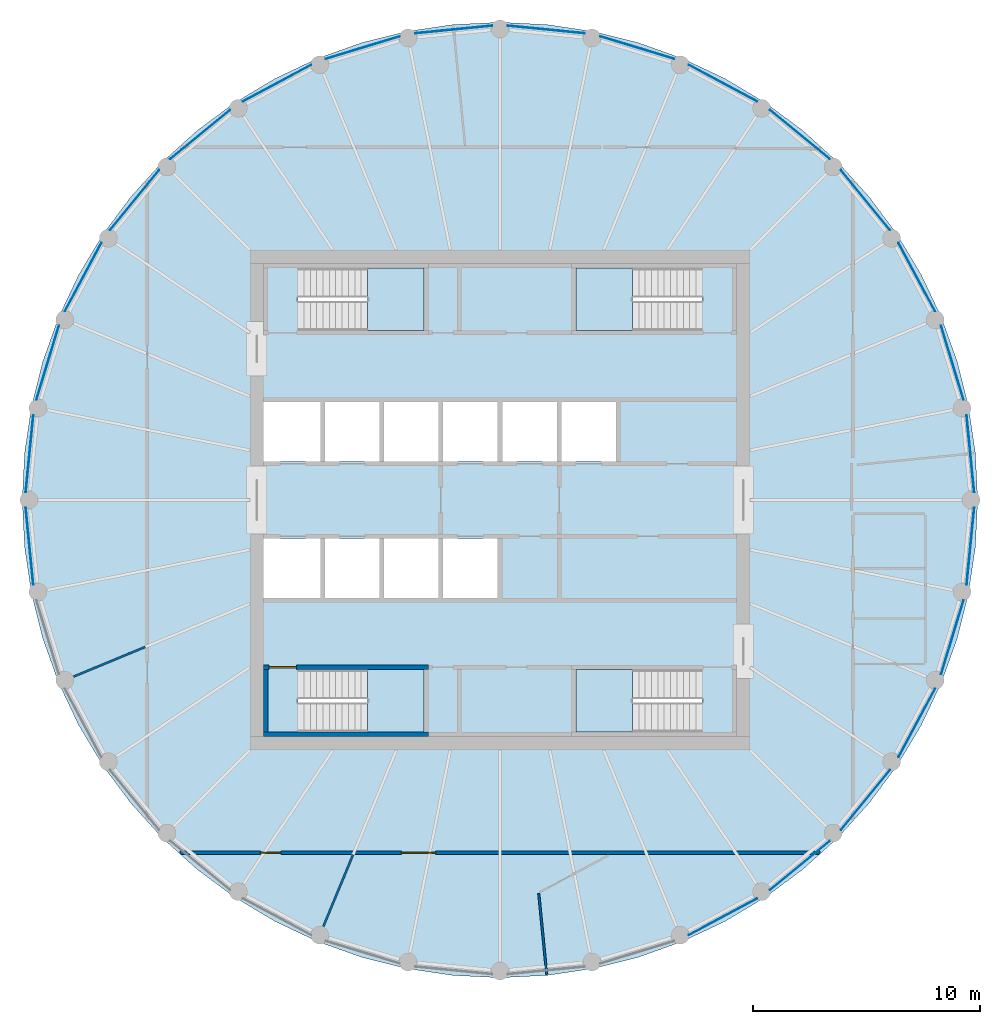
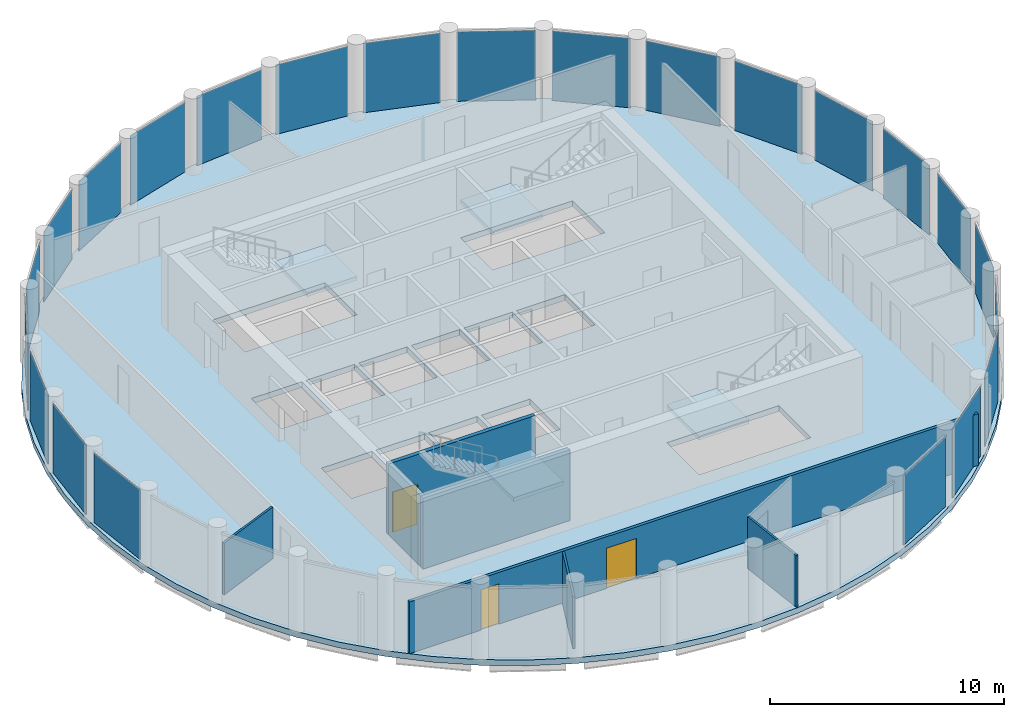
# One storey, part 3 of 7: 23 plates, 7 walls, 5 slabs, 3 doors, 3 openings, 27 elements without a shape of their own.
"""IFC4 building model written with IfcOpenShell, lengths in metres."""

from ifc_helpers import new_model, si_unit, direction, frame, frame_2d, origin, origin_2d, place, context, subcontext, project, spatial, polyline, rectangle, outline, extrude, material, layer, layer_set, type_object, element, fill, aggregate, save


model = new_model("IFC4")

# Units and contexts
model_context = context("Model", 3, precision=1e-05, world=origin(), true_north=direction((0.0, 1.0)))
body_context = subcontext(model_context, "Body", "Model", "MODEL_VIEW")
ifc_project = project(units=[si_unit("LENGTHUNIT", "METRE"), si_unit("AREAUNIT", "SQUARE_METRE"), si_unit("VOLUMEUNIT", "CUBIC_METRE"), si_unit("PLANEANGLEUNIT", "RADIAN"), si_unit("MASSUNIT", "GRAM", prefix="KILO")], contexts=[model_context])

# Site, building, storey
site_placement = place(None, origin())
site = spatial("IfcSite", under=ifc_project, at=site_placement, CompositionType="ELEMENT")
building_placement = place(site_placement, origin())
building = spatial("IfcBuilding", under=site, at=building_placement, Name="Corvane Civic Tower", CompositionType="ELEMENT")
storey_placement = place(building_placement, frame((0.0, 0.0, 352.5)))
storey = spatial("IfcBuildingStorey", under=building, at=storey_placement, Name="L84", CompositionType="ELEMENT", Elevation=352.5)

# Slab
ifc_material_1 = material(Name="Concrete C40/50", Category="concrete")
ifc_layer_1 = layer(ifc_material_1, 0.300048828125)
ifc_layer_set_1 = layer_set([ifc_layer_1], Name="Concrete C40/50")
slab_type_1 = type_object("IfcSlabType", Name="FLOOR SLAB 300", PredefinedType="FLOOR", material=ifc_layer_set_1)
slab_1_placement = place(storey_placement, frame((0.0, 0.0, -0.300048828125)))
element("IfcSlab", 1, at=slab_1_placement, inside=storey, type_object=slab_type_1, Name="SLB-L84", PredefinedType="FLOOR", context=body_context, shape_type="SweptSolid", body=[
    extrude(outline(polyline([(0.0, 21.0), (-2.058349609375, 20.89892578125), (-4.096923828125, 20.596435546875), (-6.095947265625, 20.095703125), (-8.036376953125, 19.4013671875), (-9.8994140625, 18.520263671875), (-11.6669921875, 17.4609375), (-13.322265625, 16.233154296875), (-14.84912109375, 14.84912109375), (-16.233154296875, 13.322265625), (-17.4609375, 11.6669921875), (-18.520263671875, 9.8994140625), (-19.4013671875, 8.036376953125), (-20.095703125, 6.095947265625), (-20.596435546875, 4.096923828125), (-20.89892578125, 2.058349609375), (-21.0, 0.0), (-20.89892578125, -2.058349609375), (-20.596435546875, -4.096923828125), (-20.095703125, -6.095947265625), (-19.4013671875, -8.036376953125), (-18.520263671875, -9.8994140625), (-17.4609375, -11.6669921875), (-16.233154296875, -13.322265625), (-14.84912109375, -14.84912109375), (-13.322265625, -16.233154296875), (-11.6669921875, -17.4609375), (-9.8994140625, -18.520263671875), (-8.036376953125, -19.4013671875), (-6.095947265625, -20.095703125), (-4.096923828125, -20.596435546875), (-2.058349609375, -20.89892578125), (0.0, -21.0), (2.058349609375, -20.89892578125), (4.096923828125, -20.596435546875), (6.095947265625, -20.095703125), (8.036376953125, -19.4013671875), (9.8994140625, -18.520263671875), (11.6669921875, -17.4609375), (13.322265625, -16.233154296875), (14.84912109375, -14.84912109375), (16.233154296875, -13.322265625), (17.4609375, -11.6669921875), (18.520263671875, -9.8994140625), (19.4013671875, -8.036376953125), (20.095703125, -6.095947265625), (20.596435546875, -4.096923828125), (20.89892578125, -2.058349609375), (21.0, 0.0), (20.89892578125, 2.058349609375), (20.596435546875, 4.096923828125), (20.095703125, 6.095947265625), (19.4013671875, 8.036376953125), (18.520263671875, 9.8994140625), (17.4609375, 11.6669921875), (16.233154296875, 13.322265625), (14.84912109375, 14.84912109375), (13.322265625, 16.233154296875), (11.6669921875, 17.4609375), (9.8994140625, 18.520263671875), (8.036376953125, 19.4013671875), (6.095947265625, 20.095703125), (4.096923828125, 20.596435546875), (2.058349609375, 20.89892578125), (0.0, 21.0)]), holes=[polyline([(-10.39990234375, 4.300048828125), (-7.89990234375, 4.300048828125), (-7.89990234375, 1.699951171875), (-10.39990234375, 1.699951171875), (-10.39990234375, 4.300048828125)]), polyline([(-7.699951171875, 4.300048828125), (-5.300048828125, 4.300048828125), (-5.300048828125, 1.699951171875), (-7.699951171875, 1.699951171875), (-7.699951171875, 4.300048828125)]), polyline([(-5.10009765625, 4.300048828125), (-2.699951171875, 4.300048828125), (-2.699951171875, 1.699951171875), (-5.10009765625, 1.699951171875), (-5.10009765625, 4.300048828125)]), polyline([(-2.5, 4.300048828125), (-0.10009765625, 4.300048828125), (-0.10009765625, 1.699951171875), (-2.5, 1.699951171875), (-2.5, 4.300048828125)]), polyline([(0.10009765625, 4.300048828125), (2.5, 4.300048828125), (2.5, 1.699951171875), (0.10009765625, 1.699951171875), (0.10009765625, 4.300048828125)]), polyline([(2.699951171875, 4.300048828125), (5.10009765625, 4.300048828125), (5.10009765625, 1.699951171875), (2.699951171875, 1.699951171875), (2.699951171875, 4.300048828125)]), polyline([(-10.39990234375, -1.699951171875), (-7.89990234375, -1.699951171875), (-7.89990234375, -4.300048828125), (-10.39990234375, -4.300048828125), (-10.39990234375, -1.699951171875)]), polyline([(-7.699951171875, -4.300048828125), (-7.699951171875, -1.699951171875), (-5.300048828125, -1.699951171875), (-5.300048828125, -4.300048828125), (-7.699951171875, -4.300048828125)]), polyline([(-5.10009765625, -4.300048828125), (-5.10009765625, -1.699951171875), (-2.699951171875, -1.699951171875), (-2.699951171875, -4.300048828125), (-5.10009765625, -4.300048828125)]), polyline([(-0.10009765625, -1.699951171875), (-0.10009765625, -4.300048828125), (-2.5, -4.300048828125), (-2.5, -1.699951171875), (-0.10009765625, -1.699951171875)]), polyline([(8.889892578125, 10.199951171875), (8.889892578125, 7.449951171875), (3.35009765625, 7.449951171875), (3.35009765625, 10.199951171875), (8.889892578125, 10.199951171875)]), polyline([(-8.889892578125, 7.449951171875), (-8.889892578125, 10.199951171875), (-3.35009765625, 10.199951171875), (-3.35009765625, 7.449951171875), (-8.889892578125, 7.449951171875)]), polyline([(8.889892578125, -7.449951171875), (8.889892578125, -10.199951171875), (3.35009765625, -10.199951171875), (3.35009765625, -7.449951171875), (8.889892578125, -7.449951171875)]), polyline([(-8.889892578125, -10.199951171875), (-8.889892578125, -7.449951171875), (-3.35009765625, -7.449951171875), (-3.35009765625, -10.199951171875), (-8.889892578125, -10.199951171875)])]), origin(), (0.0, 0.0, 1.0), 0.300048828125),
])

# Stair, slab
ifc_material_2 = material(Name="Concrete C40/50", Category="concrete")
stair_type = type_object("IfcStairType", Name="ST-STAIR-HALFTURN", PredefinedType="HALF_TURN_STAIR", material=ifc_material_2)
stair_1_placement = place(storey_placement, origin())
stair_1 = element("IfcStair", 2, at=stair_1_placement, inside=storey, type_object=stair_type, Name="L84 Exit stair ST1", PredefinedType="HALF_TURN_STAIR")
ifc_material_3 = material(Name="Concrete C40/50", Category="concrete")
ifc_layer_2 = layer(ifc_material_3, 0.199951171875)
ifc_layer_set_2 = layer_set([ifc_layer_2], Name="Concrete C40/50")
slab_type_2 = type_object("IfcSlabType", Name="ST-LANDING-RC", PredefinedType="LANDING", material=ifc_layer_set_2)
slab_2_placement = place(storey_placement, frame((0.0, 0.0, 1.800048828125)))
slab_2 = element("IfcSlab", 3, at=slab_2_placement, type_object=slab_type_2, Name="ST1 landing 1", PredefinedType="LANDING", context=body_context, shape_type="SweptSolid", body=[
    extrude(outline(polyline([(5.820068359375, 10.199951171875), (3.35009765625, 10.199951171875), (3.35009765625, 7.449951171875), (5.820068359375, 7.449951171875), (5.820068359375, 10.199951171875)])), origin(), (0.0, 0.0, 1.0), 0.199951171875),
])
aggregate(stair_1, [slab_2])

stair_2_placement = place(storey_placement, origin())
stair_2 = element("IfcStair", 4, at=stair_2_placement, inside=storey, type_object=stair_type, Name="L84 Exit stair ST2", PredefinedType="HALF_TURN_STAIR")
slab_3_placement = place(storey_placement, frame((0.0, 0.0, 1.800048828125)))
slab_3 = element("IfcSlab", 5, at=slab_3_placement, type_object=slab_type_2, Name="ST2 landing 1", PredefinedType="LANDING", context=body_context, shape_type="SweptSolid", body=[
    extrude(outline(polyline([(5.820068359375, -7.449951171875), (3.35009765625, -7.449951171875), (3.35009765625, -10.199951171875), (5.820068359375, -10.199951171875), (5.820068359375, -7.449951171875)])), origin(), (0.0, 0.0, 1.0), 0.199951171875),
])
aggregate(stair_2, [slab_3])

stair_3_placement = place(storey_placement, origin())
stair_3 = element("IfcStair", 6, at=stair_3_placement, inside=storey, type_object=stair_type, Name="L84 Exit stair ST3", PredefinedType="HALF_TURN_STAIR")
slab_4_placement = place(storey_placement, frame((0.0, 0.0, 1.800048828125)))
slab_4 = element("IfcSlab", 7, at=slab_4_placement, type_object=slab_type_2, Name="ST3 landing 1", PredefinedType="LANDING", context=body_context, shape_type="SweptSolid", body=[
    extrude(outline(polyline([(-5.820068359375, -10.199951171875), (-3.35009765625, -10.199951171875), (-3.35009765625, -7.449951171875), (-5.820068359375, -7.449951171875), (-5.820068359375, -10.199951171875)])), origin(), (0.0, 0.0, 1.0), 0.199951171875),
])
aggregate(stair_3, [slab_4])

stair_4_placement = place(storey_placement, origin())
stair_4 = element("IfcStair", 8, at=stair_4_placement, inside=storey, type_object=stair_type, Name="L84 Exit stair ST4", PredefinedType="HALF_TURN_STAIR")
slab_5_placement = place(storey_placement, frame((0.0, 0.0, 1.800048828125)))
slab_5 = element("IfcSlab", 9, at=slab_5_placement, type_object=slab_type_2, Name="ST4 landing 1", PredefinedType="LANDING", context=body_context, shape_type="SweptSolid", body=[
    extrude(outline(polyline([(-5.820068359375, 7.449951171875), (-3.35009765625, 7.449951171875), (-3.35009765625, 10.199951171875), (-5.820068359375, 10.199951171875), (-5.820068359375, 7.449951171875)])), origin(), (0.0, 0.0, 1.0), 0.199951171875),
])
aggregate(stair_4, [slab_5])

# Curtain wall, plate
ifc_material_4 = material(Name="Anodised aluminium bronze", Category="aluminium")
curtain_wall_type = type_object("IfcCurtainWallType", Name="TOWER CW-T3 STICK CURTAIN WALL", PredefinedType="NOTDEFINED", material=ifc_material_4)
curtain_wall_1_placement = place(storey_placement, origin())
curtain_wall_1 = element("IfcCurtainWall", 10, at=curtain_wall_1_placement, inside=storey, type_object=curtain_wall_type, Name="Curtain wall CW-T3 L84 bay 01", PredefinedType="NOTDEFINED")
ifc_material_5 = material(Name="Tinted glass", Category="glass")
ifc_layer_3 = layer(ifc_material_5, 0.028076171875)
ifc_layer_set_3 = layer_set([ifc_layer_3], Name="Tinted glass")
plate_type = type_object("IfcPlateType", Name="TOWER CW-T3 PANEL IGU28", PredefinedType="CURTAIN_PANEL", material=ifc_layer_set_3)
plate_1_placement = place(storey_placement, frame((2.03662109375, 20.679443359375, 0.0), z_axis=(0.0, 0.0, 1.0), x_axis=(0.995186641028, -0.097997701601, 0.0)))
plate_1 = element("IfcPlate", 11, at=plate_1_placement, type_object=plate_type, Name="Glass panel CW-T3 L84 01.1", PredefinedType="CURTAIN_PANEL", context=body_context, shape_type="SweptSolid", body=[
    extrude(rectangle(XDim=3.402587890625, YDim=0.028076171875, at=origin_2d()), origin(), (0.0, 0.0, 1.0), 3.6298828125),
])
aggregate(curtain_wall_1, [plate_1])

curtain_wall_2_placement = place(storey_placement, origin())
curtain_wall_2 = element("IfcCurtainWall", 12, at=curtain_wall_2_placement, inside=storey, type_object=curtain_wall_type, Name="Curtain wall CW-T3 L84 bay 02", PredefinedType="NOTDEFINED")
plate_2_placement = place(storey_placement, frame((6.031982421875, 19.884765625, 0.0), z_axis=(0.0, 0.0, 1.0), x_axis=(0.956938582641, -0.290290456359, 0.0)))
plate_2 = element("IfcPlate", 13, at=plate_2_placement, type_object=plate_type, Name="Glass panel CW-T3 L84 02.1", PredefinedType="CURTAIN_PANEL", context=body_context, shape_type="SweptSolid", body=[
    extrude(rectangle(XDim=3.40283203125, YDim=0.028076171875, at=origin_2d()), origin(), (0.0, 0.0, 1.0), 3.6298828125),
])
aggregate(curtain_wall_2, [plate_2])

curtain_wall_3_placement = place(storey_placement, origin())
curtain_wall_3 = element("IfcCurtainWall", 14, at=curtain_wall_3_placement, inside=storey, type_object=curtain_wall_type, Name="Curtain wall CW-T3 L84 bay 03", PredefinedType="NOTDEFINED")
plate_3_placement = place(storey_placement, frame((9.79541015625, 18.325927734375, 0.0), z_axis=(0.0, 0.0, 1.0), x_axis=(0.88192824848, -0.471383670202, 0.0)))
plate_3 = element("IfcPlate", 15, at=plate_3_placement, type_object=plate_type, Name="Glass panel CW-T3 L84 03.1", PredefinedType="CURTAIN_PANEL", context=body_context, shape_type="SweptSolid", body=[
    extrude(rectangle(XDim=3.40234375, YDim=0.028076171875, at=origin_2d()), origin(), (0.0, 0.0, 1.0), 3.6298828125),
])
aggregate(curtain_wall_3, [plate_3])

curtain_wall_4_placement = place(storey_placement, origin())
curtain_wall_4 = element("IfcCurtainWall", 16, at=curtain_wall_4_placement, inside=storey, type_object=curtain_wall_type, Name="Curtain wall CW-T3 L84 bay 04", PredefinedType="NOTDEFINED")
plate_4_placement = place(storey_placement, frame((13.182373046875, 16.062744140625, 0.0), z_axis=(0.0, 0.0, 1.0), x_axis=(0.773010369391, -0.634393386484, 0.0)))
plate_4 = element("IfcPlate", 17, at=plate_4_placement, type_object=plate_type, Name="Glass panel CW-T3 L84 04.1", PredefinedType="CURTAIN_PANEL", context=body_context, shape_type="SweptSolid", body=[
    extrude(rectangle(XDim=3.402587890625, YDim=0.028076171875, at=origin_2d()), origin(), (0.0, 0.0, 1.0), 3.6298828125),
])
aggregate(curtain_wall_4, [plate_4])

curtain_wall_5_placement = place(storey_placement, origin())
curtain_wall_5 = element("IfcCurtainWall", 18, at=curtain_wall_5_placement, inside=storey, type_object=curtain_wall_type, Name="Curtain wall CW-T3 L84 bay 05", PredefinedType="NOTDEFINED")
plate_5_placement = place(storey_placement, frame((16.062744140625, 13.182373046875, 0.0), z_axis=(0.0, 0.0, 1.0), x_axis=(0.634393386484, -0.773010369391, 0.0)))
plate_5 = element("IfcPlate", 19, at=plate_5_placement, type_object=plate_type, Name="Glass panel CW-T3 L84 05.1", PredefinedType="CURTAIN_PANEL", context=body_context, shape_type="SweptSolid", body=[
    extrude(rectangle(XDim=3.402587890625, YDim=0.028076171875, at=origin_2d()), origin(), (0.0, 0.0, 1.0), 3.6298828125),
])
aggregate(curtain_wall_5, [plate_5])

curtain_wall_6_placement = place(storey_placement, origin())
curtain_wall_6 = element("IfcCurtainWall", 20, at=curtain_wall_6_placement, inside=storey, type_object=curtain_wall_type, Name="Curtain wall CW-T3 L84 bay 06", PredefinedType="NOTDEFINED")
plate_6_placement = place(storey_placement, frame((18.325927734375, 9.79541015625, 0.0), z_axis=(0.0, 0.0, 1.0), x_axis=(0.471383670202, -0.88192824848, 0.0)))
plate_6 = element("IfcPlate", 21, at=plate_6_placement, type_object=plate_type, Name="Glass panel CW-T3 L84 06.1", PredefinedType="CURTAIN_PANEL", context=body_context, shape_type="SweptSolid", body=[
    extrude(rectangle(XDim=3.40234375, YDim=0.028076171875, at=origin_2d()), origin(), (0.0, 0.0, 1.0), 3.6298828125),
])
aggregate(curtain_wall_6, [plate_6])

curtain_wall_7_placement = place(storey_placement, origin())
curtain_wall_7 = element("IfcCurtainWall", 22, at=curtain_wall_7_placement, inside=storey, type_object=curtain_wall_type, Name="Curtain wall CW-T3 L84 bay 07", PredefinedType="NOTDEFINED")
plate_7_placement = place(storey_placement, frame((19.884765625, 6.031982421875, 0.0), z_axis=(0.0, 0.0, 1.0), x_axis=(0.290290456359, -0.956938582641, 0.0)))
plate_7 = element("IfcPlate", 23, at=plate_7_placement, type_object=plate_type, Name="Glass panel CW-T3 L84 07.1", PredefinedType="CURTAIN_PANEL", context=body_context, shape_type="SweptSolid", body=[
    extrude(rectangle(XDim=3.40283203125, YDim=0.028076171875, at=origin_2d()), origin(), (0.0, 0.0, 1.0), 3.6298828125),
])
aggregate(curtain_wall_7, [plate_7])

curtain_wall_8_placement = place(storey_placement, origin())
curtain_wall_8 = element("IfcCurtainWall", 24, at=curtain_wall_8_placement, inside=storey, type_object=curtain_wall_type, Name="Curtain wall CW-T3 L84 bay 08", PredefinedType="NOTDEFINED")
plate_8_placement = place(storey_placement, frame((20.679443359375, 2.03662109375, 0.0), z_axis=(0.0, 0.0, 1.0), x_axis=(0.097997701601, -0.995186641028, 0.0)))
plate_8 = element("IfcPlate", 25, at=plate_8_placement, type_object=plate_type, Name="Glass panel CW-T3 L84 08.1", PredefinedType="CURTAIN_PANEL", context=body_context, shape_type="SweptSolid", body=[
    extrude(rectangle(XDim=3.402587890625, YDim=0.028076171875, at=origin_2d()), origin(), (0.0, 0.0, 1.0), 3.6298828125),
])
aggregate(curtain_wall_8, [plate_8])

curtain_wall_9_placement = place(storey_placement, origin())
curtain_wall_9 = element("IfcCurtainWall", 26, at=curtain_wall_9_placement, inside=storey, type_object=curtain_wall_type, Name="Curtain wall CW-T3 L84 bay 09", PredefinedType="NOTDEFINED")
plate_9_placement = place(storey_placement, frame((20.679443359375, -2.03662109375, 0.0), z_axis=(0.0, 0.0, 1.0), x_axis=(-0.097997701601, -0.995186641028, 0.0)))
plate_9 = element("IfcPlate", 27, at=plate_9_placement, type_object=plate_type, Name="Glass panel CW-T3 L84 09.1", PredefinedType="CURTAIN_PANEL", context=body_context, shape_type="SweptSolid", body=[
    extrude(rectangle(XDim=3.402587890625, YDim=0.028076171875, at=origin_2d()), origin(), (0.0, 0.0, 1.0), 3.6298828125),
])
aggregate(curtain_wall_9, [plate_9])

curtain_wall_10_placement = place(storey_placement, origin())
curtain_wall_10 = element("IfcCurtainWall", 28, at=curtain_wall_10_placement, inside=storey, type_object=curtain_wall_type, Name="Curtain wall CW-T3 L84 bay 10", PredefinedType="NOTDEFINED")
plate_10_placement = place(storey_placement, frame((19.884765625, -6.031982421875, 0.0), z_axis=(0.0, 0.0, 1.0), x_axis=(-0.290290456359, -0.956938582641, 0.0)))
plate_10 = element("IfcPlate", 29, at=plate_10_placement, type_object=plate_type, Name="Glass panel CW-T3 L84 10.1", PredefinedType="CURTAIN_PANEL", context=body_context, shape_type="SweptSolid", body=[
    extrude(rectangle(XDim=3.40283203125, YDim=0.028076171875, at=origin_2d()), origin(), (0.0, 0.0, 1.0), 3.6298828125),
])
aggregate(curtain_wall_10, [plate_10])

curtain_wall_11_placement = place(storey_placement, origin())
curtain_wall_11 = element("IfcCurtainWall", 30, at=curtain_wall_11_placement, inside=storey, type_object=curtain_wall_type, Name="Curtain wall CW-T3 L84 bay 11", PredefinedType="NOTDEFINED")
plate_11_placement = place(storey_placement, frame((18.325927734375, -9.79541015625, 0.0), z_axis=(0.0, 0.0, 1.0), x_axis=(-0.471383670202, -0.88192824848, 0.0)))
plate_11 = element("IfcPlate", 31, at=plate_11_placement, type_object=plate_type, Name="Glass panel CW-T3 L84 11.1", PredefinedType="CURTAIN_PANEL", context=body_context, shape_type="SweptSolid", body=[
    extrude(rectangle(XDim=3.40234375, YDim=0.028076171875, at=origin_2d()), origin(), (0.0, 0.0, 1.0), 3.6298828125),
])
aggregate(curtain_wall_11, [plate_11])

curtain_wall_12_placement = place(storey_placement, origin())
curtain_wall_12 = element("IfcCurtainWall", 32, at=curtain_wall_12_placement, inside=storey, type_object=curtain_wall_type, Name="Curtain wall CW-T3 L84 bay 12", PredefinedType="NOTDEFINED")
plate_12_placement = place(storey_placement, frame((16.062744140625, -13.182373046875, 0.0), z_axis=(0.0, 0.0, 1.0), x_axis=(-0.634393386484, -0.773010369391, 0.0)))
plate_12 = element("IfcPlate", 33, at=plate_12_placement, type_object=plate_type, Name="Glass panel CW-T3 L84 12.1", PredefinedType="CURTAIN_PANEL", context=body_context, shape_type="SweptSolid", body=[
    extrude(rectangle(XDim=3.402587890625, YDim=0.028076171875, at=origin_2d()), origin(), (0.0, 0.0, 1.0), 3.6298828125),
])
aggregate(curtain_wall_12, [plate_12])

curtain_wall_13_placement = place(storey_placement, origin())
curtain_wall_13 = element("IfcCurtainWall", 34, at=curtain_wall_13_placement, inside=storey, type_object=curtain_wall_type, Name="Curtain wall CW-T3 L84 bay 13", PredefinedType="NOTDEFINED")
plate_13_placement = place(storey_placement, frame((13.182373046875, -16.062744140625, 0.0), z_axis=(0.0, 0.0, 1.0), x_axis=(-0.773010369391, -0.634393386484, 0.0)))
plate_13 = element("IfcPlate", 35, at=plate_13_placement, type_object=plate_type, Name="Glass panel CW-T3 L84 13.1", PredefinedType="CURTAIN_PANEL", context=body_context, shape_type="SweptSolid", body=[
    extrude(rectangle(XDim=3.402587890625, YDim=0.028076171875, at=origin_2d()), origin(), (0.0, 0.0, 1.0), 3.6298828125),
])
aggregate(curtain_wall_13, [plate_13])

curtain_wall_14_placement = place(storey_placement, origin())
curtain_wall_14 = element("IfcCurtainWall", 36, at=curtain_wall_14_placement, inside=storey, type_object=curtain_wall_type, Name="Curtain wall CW-T3 L84 bay 14", PredefinedType="NOTDEFINED")
plate_14_placement = place(storey_placement, frame((9.79541015625, -18.325927734375, 0.0), z_axis=(0.0, 0.0, 1.0), x_axis=(-0.88192824848, -0.471383670202, 0.0)))
plate_14 = element("IfcPlate", 37, at=plate_14_placement, type_object=plate_type, Name="Glass panel CW-T3 L84 14.1", PredefinedType="CURTAIN_PANEL", context=body_context, shape_type="SweptSolid", body=[
    extrude(rectangle(XDim=3.40234375, YDim=0.028076171875, at=origin_2d()), origin(), (0.0, 0.0, 1.0), 3.6298828125),
])
aggregate(curtain_wall_14, [plate_14])

curtain_wall_15_placement = place(storey_placement, origin())
curtain_wall_15 = element("IfcCurtainWall", 38, at=curtain_wall_15_placement, inside=storey, type_object=curtain_wall_type, Name="Curtain wall CW-T3 L84 bay 24", PredefinedType="NOTDEFINED")
plate_15_placement = place(storey_placement, frame((-20.679443359375, -2.03662109375, 0.0), z_axis=(0.0, 0.0, 1.0), x_axis=(-0.097997701601, 0.995186641028, 0.0)))
plate_15 = element("IfcPlate", 39, at=plate_15_placement, type_object=plate_type, Name="Glass panel CW-T3 L84 24.1", PredefinedType="CURTAIN_PANEL", context=body_context, shape_type="SweptSolid", body=[
    extrude(rectangle(XDim=3.402587890625, YDim=0.028076171875, at=origin_2d()), origin(), (0.0, 0.0, 1.0), 3.6298828125),
])
aggregate(curtain_wall_15, [plate_15])

curtain_wall_16_placement = place(storey_placement, origin())
curtain_wall_16 = element("IfcCurtainWall", 40, at=curtain_wall_16_placement, inside=storey, type_object=curtain_wall_type, Name="Curtain wall CW-T3 L84 bay 25", PredefinedType="NOTDEFINED")
plate_16_placement = place(storey_placement, frame((-20.679443359375, 2.03662109375, 0.0), z_axis=(0.0, 0.0, 1.0), x_axis=(0.097997701601, 0.995186641028, 0.0)))
plate_16 = element("IfcPlate", 41, at=plate_16_placement, type_object=plate_type, Name="Glass panel CW-T3 L84 25.1", PredefinedType="CURTAIN_PANEL", context=body_context, shape_type="SweptSolid", body=[
    extrude(rectangle(XDim=3.402587890625, YDim=0.028076171875, at=origin_2d()), origin(), (0.0, 0.0, 1.0), 3.6298828125),
])
aggregate(curtain_wall_16, [plate_16])

curtain_wall_17_placement = place(storey_placement, origin())
curtain_wall_17 = element("IfcCurtainWall", 42, at=curtain_wall_17_placement, inside=storey, type_object=curtain_wall_type, Name="Curtain wall CW-T3 L84 bay 26", PredefinedType="NOTDEFINED")
plate_17_placement = place(storey_placement, frame((-19.884765625, 6.031982421875, 0.0), z_axis=(0.0, 0.0, 1.0), x_axis=(0.290290456359, 0.956938582641, 0.0)))
plate_17 = element("IfcPlate", 43, at=plate_17_placement, type_object=plate_type, Name="Glass panel CW-T3 L84 26.1", PredefinedType="CURTAIN_PANEL", context=body_context, shape_type="SweptSolid", body=[
    extrude(rectangle(XDim=3.40283203125, YDim=0.028076171875, at=origin_2d()), origin(), (0.0, 0.0, 1.0), 3.6298828125),
])
aggregate(curtain_wall_17, [plate_17])

curtain_wall_18_placement = place(storey_placement, origin())
curtain_wall_18 = element("IfcCurtainWall", 44, at=curtain_wall_18_placement, inside=storey, type_object=curtain_wall_type, Name="Curtain wall CW-T3 L84 bay 27", PredefinedType="NOTDEFINED")
plate_18_placement = place(storey_placement, frame((-18.325927734375, 9.79541015625, 0.0), z_axis=(0.0, 0.0, 1.0), x_axis=(0.471383670202, 0.88192824848, 0.0)))
plate_18 = element("IfcPlate", 45, at=plate_18_placement, type_object=plate_type, Name="Glass panel CW-T3 L84 27.1", PredefinedType="CURTAIN_PANEL", context=body_context, shape_type="SweptSolid", body=[
    extrude(rectangle(XDim=3.40234375, YDim=0.028076171875, at=origin_2d()), origin(), (0.0, 0.0, 1.0), 3.6298828125),
])
aggregate(curtain_wall_18, [plate_18])

curtain_wall_19_placement = place(storey_placement, origin())
curtain_wall_19 = element("IfcCurtainWall", 46, at=curtain_wall_19_placement, inside=storey, type_object=curtain_wall_type, Name="Curtain wall CW-T3 L84 bay 28", PredefinedType="NOTDEFINED")
plate_19_placement = place(storey_placement, frame((-16.062744140625, 13.182373046875, 0.0), z_axis=(0.0, 0.0, 1.0), x_axis=(0.634393386484, 0.773010369391, 0.0)))
plate_19 = element("IfcPlate", 47, at=plate_19_placement, type_object=plate_type, Name="Glass panel CW-T3 L84 28.1", PredefinedType="CURTAIN_PANEL", context=body_context, shape_type="SweptSolid", body=[
    extrude(rectangle(XDim=3.402587890625, YDim=0.028076171875, at=origin_2d()), origin(), (0.0, 0.0, 1.0), 3.6298828125),
])
aggregate(curtain_wall_19, [plate_19])

curtain_wall_20_placement = place(storey_placement, origin())
curtain_wall_20 = element("IfcCurtainWall", 48, at=curtain_wall_20_placement, inside=storey, type_object=curtain_wall_type, Name="Curtain wall CW-T3 L84 bay 29", PredefinedType="NOTDEFINED")
plate_20_placement = place(storey_placement, frame((-13.182373046875, 16.062744140625, 0.0), z_axis=(0.0, 0.0, 1.0), x_axis=(0.773010369391, 0.634393386484, 0.0)))
plate_20 = element("IfcPlate", 49, at=plate_20_placement, type_object=plate_type, Name="Glass panel CW-T3 L84 29.1", PredefinedType="CURTAIN_PANEL", context=body_context, shape_type="SweptSolid", body=[
    extrude(rectangle(XDim=3.402587890625, YDim=0.028076171875, at=origin_2d()), origin(), (0.0, 0.0, 1.0), 3.6298828125),
])
aggregate(curtain_wall_20, [plate_20])

curtain_wall_21_placement = place(storey_placement, origin())
curtain_wall_21 = element("IfcCurtainWall", 50, at=curtain_wall_21_placement, inside=storey, type_object=curtain_wall_type, Name="Curtain wall CW-T3 L84 bay 30", PredefinedType="NOTDEFINED")
plate_21_placement = place(storey_placement, frame((-9.79541015625, 18.325927734375, 0.0), z_axis=(0.0, 0.0, 1.0), x_axis=(0.88192824848, 0.471383670202, 0.0)))
plate_21 = element("IfcPlate", 51, at=plate_21_placement, type_object=plate_type, Name="Glass panel CW-T3 L84 30.1", PredefinedType="CURTAIN_PANEL", context=body_context, shape_type="SweptSolid", body=[
    extrude(rectangle(XDim=3.40234375, YDim=0.028076171875, at=origin_2d()), origin(), (0.0, 0.0, 1.0), 3.6298828125),
])
aggregate(curtain_wall_21, [plate_21])

curtain_wall_22_placement = place(storey_placement, origin())
curtain_wall_22 = element("IfcCurtainWall", 52, at=curtain_wall_22_placement, inside=storey, type_object=curtain_wall_type, Name="Curtain wall CW-T3 L84 bay 31", PredefinedType="NOTDEFINED")
plate_22_placement = place(storey_placement, frame((-6.031982421875, 19.884765625, 0.0), z_axis=(0.0, 0.0, 1.0), x_axis=(0.956938582641, 0.290290456359, 0.0)))
plate_22 = element("IfcPlate", 53, at=plate_22_placement, type_object=plate_type, Name="Glass panel CW-T3 L84 31.1", PredefinedType="CURTAIN_PANEL", context=body_context, shape_type="SweptSolid", body=[
    extrude(rectangle(XDim=3.40283203125, YDim=0.028076171875, at=origin_2d()), origin(), (0.0, 0.0, 1.0), 3.6298828125),
])
aggregate(curtain_wall_22, [plate_22])

curtain_wall_23_placement = place(storey_placement, origin())
curtain_wall_23 = element("IfcCurtainWall", 54, at=curtain_wall_23_placement, inside=storey, type_object=curtain_wall_type, Name="Curtain wall CW-T3 L84 bay 32", PredefinedType="NOTDEFINED")
plate_23_placement = place(storey_placement, frame((-2.03662109375, 20.679443359375, 0.0), z_axis=(0.0, 0.0, 1.0), x_axis=(0.995186641028, 0.097997701601, 0.0)))
plate_23 = element("IfcPlate", 55, at=plate_23_placement, type_object=plate_type, Name="Glass panel CW-T3 L84 32.1", PredefinedType="CURTAIN_PANEL", context=body_context, shape_type="SweptSolid", body=[
    extrude(rectangle(XDim=3.402587890625, YDim=0.028076171875, at=origin_2d()), origin(), (0.0, 0.0, 1.0), 3.6298828125),
])
aggregate(curtain_wall_23, [plate_23])

# Walls
ifc_material_6 = material(Name="Plasterboard")
ifc_layer_4 = layer(ifc_material_6, 0.10009765625)
ifc_layer_set_4 = layer_set([ifc_layer_4], Name="Plasterboard")
wall_type_1 = type_object("IfcWallType", Name="Partition 100 plasterboard on studs", PredefinedType="PARTITIONING", material=ifc_layer_set_4)
wall_1_placement = place(storey_placement, frame((1.70361328125, -17.295654296875, 0.0), z_axis=(0.0, 0.0, 1.0), x_axis=(0.097973745304, -0.995188999754, 0.0)))
element("IfcWall", 56, at=wall_1_placement, inside=storey, type_object=wall_type_1, Name="Partition L84.001", PredefinedType="PARTITIONING", context=body_context, shape_type="SweptSolid", body=[
    extrude(rectangle(XDim=3.57080078125, YDim=0.10009765625, at=frame_2d((1.785400390625, 0.0))), origin(), (0.0, 0.0, 1.0), 2.699951171875),
])
for number, where, z_axis, x_axis, name in (
    (57, (-7.7646484375, -18.74560546875, 0.0), (0.0, 0.0, 1.0), (0.382678369606, 0.923881629558, 0.0), "Partition L84.002"),
    (58, (-18.74560546875, -7.7646484375, 0.0), (0.0, 0.0, 1.0), (0.923881629558, 0.382678369606, 0.0), "Partition L84.007"),
):
    element("IfcWall", number, at=place(storey_placement, frame(where, z_axis=z_axis, x_axis=x_axis)), inside=storey, type_object=wall_type_1, Name=name, PredefinedType="PARTITIONING", context=body_context, shape_type="SweptSolid", body=[
        extrude(rectangle(XDim=3.411376953125, YDim=0.10009765625, at=frame_2d((1.70556640625, 0.0))), origin(), (0.0, 0.0, 1.0), 2.699951171875),
    ])

# Wall, opening, door
ifc_material_7 = material(Name="Concrete C50/60", Category="concrete")
ifc_layer_5 = layer(ifc_material_7, 0.199951171875)
ifc_layer_set_5 = layer_set([ifc_layer_5], Name="Concrete C50/60")
wall_type_2 = type_object("IfcWallType", Name="ST-WALL-200", PredefinedType="SHEAR", material=ifc_layer_set_5)
wall_2_placement = place(storey_placement, frame((-10.39990234375, -7.35009765625, 0.0), z_axis=(0.0, 0.0, 1.0), x_axis=(1.0, 0.0, 0.0)))
wall_2 = element("IfcWall", 59, at=wall_2_placement, inside=storey, type_object=wall_type_2, Name="L84 stair enclosure wall", PredefinedType="SHEAR", context=body_context, shape_type="SweptSolid", body=[
    extrude(rectangle(XDim=7.25, YDim=0.199951171875, at=frame_2d((3.625, 0.0))), origin(), (0.0, 0.0, 1.0), 3.699951171875),
])
opening_1_placement = place(wall_2_placement, frame((0.25, 0.0, 0.0)))
opening_1 = element("IfcOpeningElement", 60, at=opening_1_placement, cuts=wall_2, Name="Opening L84.C11", PredefinedType="OPENING", context=body_context, shape_type="SweptSolid", body=[
    extrude(rectangle(XDim=1.199951171875, YDim=2.10009765625, at=frame_2d((0.60009765625, 1.050048828125))), frame((0.0, 0.10986328125, 0.0), z_axis=(0.0, -1.0, 0.0), x_axis=(1.0, 0.0, 0.0)), (0.0, 0.0, 1.0), 0.219970703125),
])
ifc_material_8 = material(Name="Steel fire door leaf", Category="steel")
door_type_1 = type_object("IfcDoorType", Name="ST-DOOR-1200", OperationType="SINGLE_SWING_RIGHT", PredefinedType="DOOR", material=ifc_material_8)
door_1_placement = place(opening_1_placement, origin())
door_1 = element("IfcDoor", 61, at=door_1_placement, inside=storey, type_object=door_type_1, Name="L84 stair door", OperationType="SINGLE_SWING_RIGHT", OverallHeight=2.10009765625, OverallWidth=1.199951171875, PredefinedType="DOOR", context=body_context, shape_type="SweptSolid", body=[
    extrude(rectangle(XDim=1.199951171875, YDim=2.10009765625, at=frame_2d((0.60009765625, 1.050048828125))), frame((0.0, 0.02490234375, 0.0), z_axis=(0.0, -1.0, 0.0), x_axis=(1.0, 0.0, 0.0)), (0.0, 0.0, 1.0), 0.050048828125),
])
fill(opening_1, door_1)

# Walls
wall_3_placement = place(storey_placement, origin())
element("IfcWall", 62, at=wall_3_placement, inside=storey, type_object=wall_type_2, Name="L84 stair enclosure wall", PredefinedType="SHEAR", context=body_context, shape_type="SweptSolid", body=[
    extrude(outline(polyline([(-3.14990234375, -10.199951171875), (-3.14990234375, -10.39990234375), (-10.39990234375, -10.39990234375), (-10.39990234375, -10.199951171875), (-3.14990234375, -10.199951171875)])), origin(), (0.0, 0.0, 1.0), 3.699951171875),
])
wall_4_placement = place(storey_placement, origin())
element("IfcWall", 63, at=wall_4_placement, inside=storey, type_object=wall_type_2, Name="L84 stair enclosure wall", PredefinedType="SHEAR", context=body_context, shape_type="SweptSolid", body=[
    extrude(outline(polyline([(-10.199951171875, -7.449951171875), (-10.199951171875, -10.199951171875), (-10.39990234375, -10.199951171875), (-10.39990234375, -7.449951171875), (-10.199951171875, -7.449951171875)])), origin(), (0.0, 0.0, 1.0), 3.699951171875),
])

# Wall, openings, doors
ifc_material_9 = material(Name="Plasterboard")
ifc_layer_6 = layer(ifc_material_9, 0.14990234375)
ifc_layer_set_6 = layer_set([ifc_layer_6], Name="Plasterboard")
wall_type_3 = type_object("IfcWallType", Name="Tenancy wall 150 EI 60", PredefinedType="PARTITIONING", material=ifc_layer_set_6)
wall_5_placement = place(storey_placement, frame((-14.05712890625, -15.5, 0.0), z_axis=(0.0, 0.0, 1.0), x_axis=(1.0, 0.0, 0.0)))
wall_5 = element("IfcWall", 64, at=wall_5_placement, inside=storey, type_object=wall_type_3, Name="Partition L84.004", PredefinedType="PARTITIONING", context=body_context, shape_type="SweptSolid", body=[
    extrude(rectangle(XDim=28.1142578125, YDim=0.14990234375, at=frame_2d((14.05712890625, 0.0))), origin(), (0.0, 0.0, 1.0), 2.699951171875),
])
opening_2_placement = place(wall_5_placement, frame((3.522216796875, 0.0, 0.0)))
opening_2 = element("IfcOpeningElement", 65, at=opening_2_placement, cuts=wall_5, Name="Opening L84.001", PredefinedType="OPENING", context=body_context, shape_type="SweptSolid", body=[
    extrude(rectangle(XDim=0.89990234375, YDim=2.10009765625, at=frame_2d((0.449951171875, 1.050048828125))), frame((0.0, 0.0849609375, 0.0), z_axis=(0.0, -1.0, 0.0), x_axis=(1.0, 0.0, 0.0)), (0.0, 0.0, 1.0), 0.169921875),
])
opening_3_placement = place(wall_5_placement, frame((9.722900390625, 0.0, 0.0)))
opening_3 = element("IfcOpeningElement", 66, at=opening_3_placement, cuts=wall_5, Name="Opening L84.012", PredefinedType="OPENING", context=body_context, shape_type="SweptSolid", body=[
    extrude(rectangle(XDim=1.5, YDim=2.10009765625, at=frame_2d((0.75, 1.050048828125))), frame((0.0, 0.0849609375, 0.0), z_axis=(0.0, -1.0, 0.0), x_axis=(1.0, 0.0, 0.0)), (0.0, 0.0, 1.0), 0.169921875),
])
ifc_material_10 = material(Name="Steel and timber", Category="steel")
door_type_2 = type_object("IfcDoorType", Name="Fire door FD30S 900", OperationType="NOTDEFINED", PredefinedType="DOOR", material=ifc_material_10)
door_2_placement = place(opening_2_placement, frame((0.89990234375, 0.0, 0.0), z_axis=(0.0, 0.0, 1.0), x_axis=(-1.0, 0.0, 0.0)))
door_2 = element("IfcDoor", 67, at=door_2_placement, inside=storey, type_object=door_type_2, Name="Door L84.001", OperationType="SINGLE_SWING_LEFT", OverallHeight=2.10009765625, OverallWidth=0.89990234375, PredefinedType="DOOR", context=body_context, shape_type="SweptSolid", body=[
    extrude(rectangle(XDim=0.89990234375, YDim=2.10009765625, at=frame_2d((0.449951171875, 1.050048828125))), frame((0.0, 0.02490234375, 0.0), z_axis=(0.0, -1.0, 0.0), x_axis=(1.0, 0.0, 0.0)), (0.0, 0.0, 1.0), 0.050048828125),
])
fill(opening_2, door_2)
ifc_material_11 = material(Name="Steel and timber", Category="steel")
door_type_3 = type_object("IfcDoorType", Name="Fire door FD60 double 1500", OperationType="NOTDEFINED", PredefinedType="DOOR", material=ifc_material_11)
door_3_placement = place(opening_3_placement, frame((1.5, 0.0, 0.0), z_axis=(0.0, 0.0, 1.0), x_axis=(-1.0, 0.0, 0.0)))
door_3 = element("IfcDoor", 68, at=door_3_placement, inside=storey, type_object=door_type_3, Name="Door L84.012", OperationType="DOUBLE_DOOR_SINGLE_SWING", OverallHeight=2.10009765625, OverallWidth=1.5, PredefinedType="DOOR", context=body_context, shape_type="SweptSolid", body=[
    extrude(rectangle(XDim=1.5, YDim=2.10009765625, at=frame_2d((0.75, 1.050048828125))), frame((0.0, 0.02490234375, 0.0), z_axis=(0.0, -1.0, 0.0), x_axis=(1.0, 0.0, 0.0)), (0.0, 0.0, 1.0), 0.050048828125),
])
fill(opening_3, door_3)

save(model, "model.ifc")
